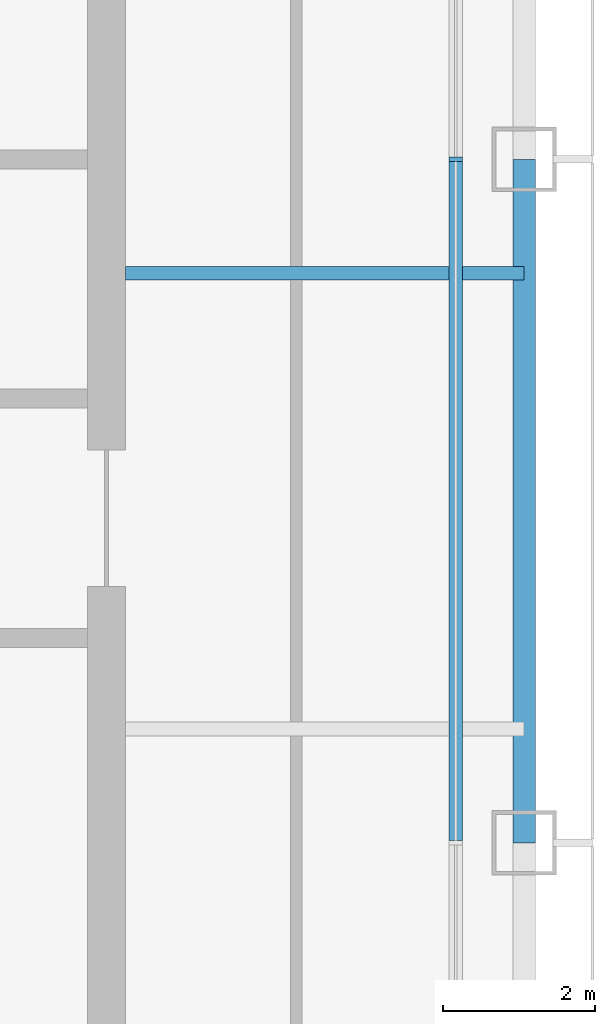
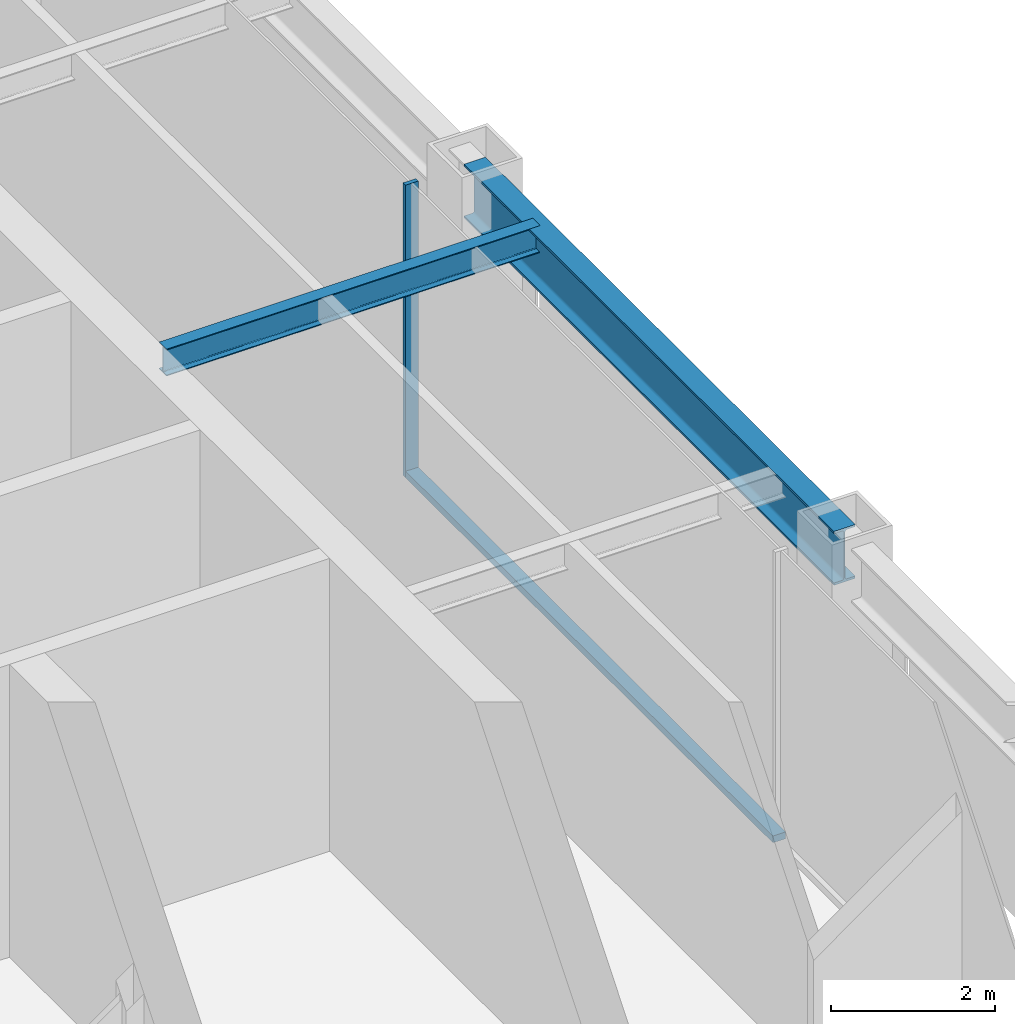
# One storey, part 5 of 19: 2 beams, 2 members, 1 element without a shape of its own.
"""IFC4 building model written with IfcOpenShell, lengths in metres."""

from ifc_helpers import new_model, si_unit, direction, frame, origin, origin_2d, place, context, subcontext, project, spatial, rectangle, i_section, extrude, material, layer, layer_set, material_profile, profile_set, type_object, element, aggregate, save


model = new_model("IFC4")

# Units and contexts
model_context = context("Model", 3, precision=1e-05, world=origin(), true_north=direction((0.0, 1.0)))
body_context = subcontext(model_context, "Body", "Model", "MODEL_VIEW")
ifc_project = project(units=[si_unit("LENGTHUNIT", "METRE"), si_unit("AREAUNIT", "SQUARE_METRE"), si_unit("VOLUMEUNIT", "CUBIC_METRE"), si_unit("PLANEANGLEUNIT", "RADIAN"), si_unit("MASSUNIT", "GRAM", prefix="KILO")], contexts=[model_context])

# Site, building, storey
site_placement = place(None, origin())
site = spatial("IfcSite", under=ifc_project, at=site_placement, CompositionType="ELEMENT")
building_placement = place(site_placement, origin())
building = spatial("IfcBuilding", under=site, at=building_placement, Name="Siwar Civic Tower", CompositionType="ELEMENT")
storey_placement = place(building_placement, frame((0.0, 0.0, 228.699951171875)))
storey = spatial("IfcBuildingStorey", under=building, at=storey_placement, Name="L49", CompositionType="ELEMENT", Elevation=228.699951171875)

# Curtain wall, members
ifc_material_1 = material(Name="Aluminium and glass", Category="aluminium")
ifc_layer = layer(ifc_material_1, 0.179931640625)
ifc_layer_set = layer_set([ifc_layer], Name="Aluminium and glass")
curtain_wall_type = type_object("IfcCurtainWallType", Name="ENV-CW-C", PredefinedType="NOTDEFINED", material=ifc_layer_set)
curtain_wall_placement = place(storey_placement, origin())
curtain_wall = element("IfcCurtainWall", 1, at=curtain_wall_placement, inside=storey, type_object=curtain_wall_type, Name="Curtain wall C E", PredefinedType="NOTDEFINED")
ifc_material_2 = material(Name="Aluminium 6063-T6", Category="aluminium")
ifc_material_profile_1 = material_profile(ifc_material_2, rectangle(XDim=0.179931640625, YDim=0.06005859375, at=origin_2d()), Name="AL 180x60")
ifc_profile_set_1 = profile_set([ifc_material_profile_1], Name="Aluminium 6063-T6")
member_type_1 = type_object("IfcMemberType", Name="ENV-MULLION-C", PredefinedType="MULLION", material=ifc_profile_set_1)
member_1_placement = place(storey_placement, frame((26.10009765625, 0.0, 0.0), z_axis=(0.0, 0.0, 1.0), x_axis=(-1.0, 0.0, 0.0)))
member_1 = element("IfcMember", 2, at=member_1_placement, type_object=member_type_1, Name="Mullion C E 3", PredefinedType="MULLION", context=body_context, shape_type="SweptSolid", body=[
    extrude(rectangle(XDim=0.179931640625, YDim=0.06005859375, at=origin_2d()), origin(), (0.0, 0.0, 1.0), 4.35009765625),
])
ifc_material_3 = material(Name="Aluminium 6063-T6", Category="aluminium")
ifc_material_profile_2 = material_profile(ifc_material_3, rectangle(XDim=0.179931640625, YDim=0.10009765625, at=origin_2d()), Name="AL 180x100")
ifc_profile_set_2 = profile_set([ifc_material_profile_2], Name="Aluminium 6063-T6")
member_type_2 = type_object("IfcMemberType", Name="ENV-TRANSOM-C", PredefinedType="USERDEFINED", material=ifc_profile_set_2)
member_2_placement = place(storey_placement, frame((26.10009765625, -8.969970703125, 0.050048828125), z_axis=(0.0, 1.0, 0.0), x_axis=(-1.0, 0.0, 0.0)))
member_2 = element("IfcMember", 3, at=member_2_placement, type_object=member_type_2, Name="Transom C E 2", ObjectType="TRANSOM", PredefinedType="USERDEFINED", context=body_context, shape_type="SweptSolid", body=[
    extrude(rectangle(XDim=0.179931640625, YDim=0.10009765625, at=origin_2d()), origin(), (0.0, 0.0, 1.0), 8.93994140625),
])
aggregate(curtain_wall, [member_1, member_2])

# Beams
ifc_material_4 = material(Name="Steel S355", Category="steel")
ifc_material_profile_3 = material_profile(ifc_material_4, i_section(OverallWidth=0.179931640625, OverallDepth=0.39990234375, WebThickness=0.008544921875, FlangeThickness=0.013427734375, FilletRadius=0.02099609375, at=origin_2d()), Name="IPE400")
ifc_profile_set_3 = profile_set([ifc_material_profile_3], Name="Steel S355")
beam_type_1 = type_object("IfcBeamType", Name="STR-FB-IPE400", PredefinedType="JOIST", material=ifc_profile_set_3)
beam_1_placement = place(storey_placement, frame((21.75, -1.5, 4.150146484375), z_axis=(1.0, 0.0, 0.0), x_axis=(0.0, 1.0, 0.0)))
element("IfcBeam", 4, at=beam_1_placement, inside=storey, type_object=beam_type_1, Name="L49/bm/F024", PredefinedType="JOIST", context=body_context, shape_type="SweptSolid", body=[
    extrude(i_section(OverallWidth=0.179931640625, OverallDepth=0.39990234375, WebThickness=0.008544921875, FlangeThickness=0.013427734375, FilletRadius=0.02099609375, at=origin_2d()), origin(), (0.0, 0.0, 1.0), 5.25),
])
ifc_material_5 = material(Name="Steel S355", Category="steel")
ifc_material_profile_4 = material_profile(ifc_material_5, i_section(OverallWidth=0.300048828125, OverallDepth=0.800048828125, WebThickness=0.017578125, FlangeThickness=0.032958984375, FilletRadius=0.030029296875, at=origin_2d()), Name="HEB800")
ifc_profile_set_4 = profile_set([ifc_material_profile_4], Name="Steel S355")
beam_type_2 = type_object("IfcBeamType", Name="STR-SB-HEB800", PredefinedType="BEAM", material=ifc_profile_set_4)
beam_2_placement = place(storey_placement, frame((27.0, -9.0, 3.949951171875), z_axis=(0.0, 1.0, 0.0), x_axis=(-1.0, 0.0, 0.0)))
element("IfcBeam", 5, at=beam_2_placement, inside=storey, type_object=beam_type_2, Name="L49/bm/SE-1", PredefinedType="BEAM", context=body_context, shape_type="SweptSolid", body=[
    extrude(i_section(OverallWidth=0.300048828125, OverallDepth=0.800048828125, WebThickness=0.017578125, FlangeThickness=0.032958984375, FilletRadius=0.030029296875, at=origin_2d()), origin(), (0.0, 0.0, 1.0), 9.0),
])

save(model, "model.ifc")
